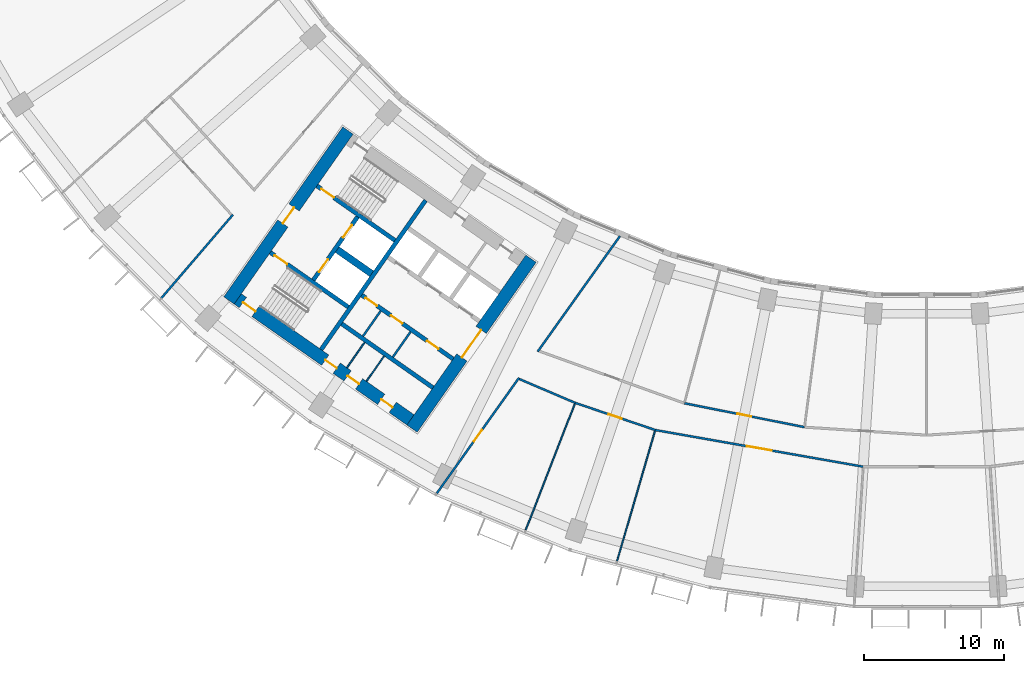
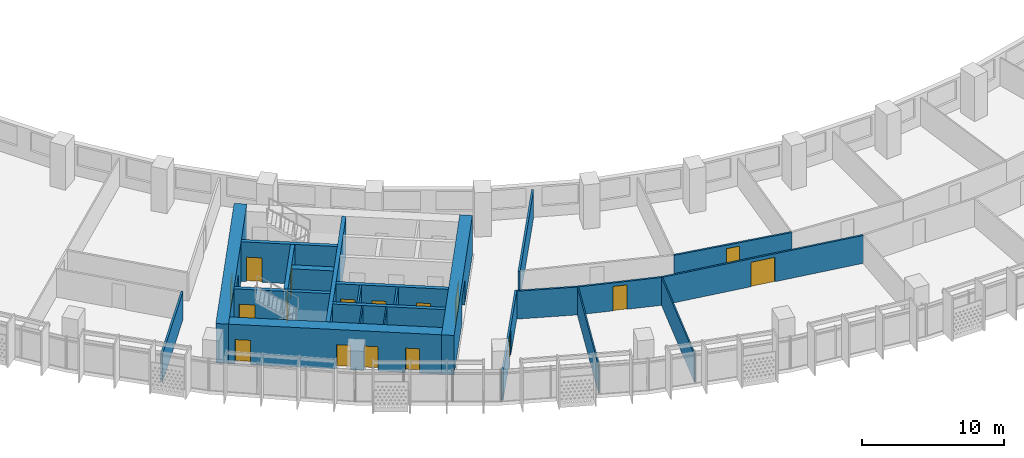
# One storey, part 3 of 28: 23 walls, 17 doors, 17 openings.
"""IFC4 building model written with IfcOpenShell, lengths in metres."""

from ifc_helpers import new_model, si_unit, direction, frame, frame_2d, origin, place, context, subcontext, project, spatial, rectangle, extrude, material, layer, layer_set, type_object, element, fill, save


model = new_model("IFC4")

# Units and contexts
model_context = context("Model", 3, precision=1e-05, world=origin(), true_north=direction((0.0, 1.0)))
body_context = subcontext(model_context, "Body", "Model", "MODEL_VIEW")
ifc_project = project(units=[si_unit("LENGTHUNIT", "METRE"), si_unit("AREAUNIT", "SQUARE_METRE"), si_unit("VOLUMEUNIT", "CUBIC_METRE"), si_unit("PLANEANGLEUNIT", "RADIAN"), si_unit("MASSUNIT", "GRAM", prefix="KILO")], contexts=[model_context])

# Site, building, storey
site_placement = place(None, origin())
site = spatial("IfcSite", under=ifc_project, at=site_placement, CompositionType="ELEMENT")
building_placement = place(site_placement, origin())
building = spatial("IfcBuilding", under=site, at=building_placement, Name="Qamariyya Broadcast Tower", CompositionType="ELEMENT")
storey_placement = place(building_placement, frame((0.0, 0.0, 140.5)))
storey = spatial("IfcBuildingStorey", under=building, at=storey_placement, Name="L32", CompositionType="ELEMENT", Elevation=140.5)

# Wall, opening, door
ifc_material_1 = material(Name="Concrete C70/85", Category="concrete")
ifc_layer_1 = layer(ifc_material_1, 0.89990234375)
ifc_layer_set_1 = layer_set([ifc_layer_1], Name="Core wall 900 mm Concrete C70/85")
wall_type_1 = type_object("IfcWallType", Name="Core wall 900 mm Concrete C70/85", PredefinedType="SHEAR", material=ifc_layer_set_1)
wall_1_placement = place(storey_placement, frame((-36.716796875, -66.3369140625, 0.0), z_axis=(0.0, 0.0, 1.0), x_axis=(0.573577477574, 0.819151315216, 0.0)))
wall_1 = element("IfcWall", 1, at=wall_1_placement, inside=storey, type_object=wall_type_1, Name="k-W-L32-WA", PredefinedType="SHEAR", context=body_context, shape_type="SweptSolid", body=[
    extrude(rectangle(XDim=14.800048828125, YDim=0.89990234375, at=frame_2d((7.39990234375, 0.0))), origin(), (0.0, 0.0, 1.0), 3.39990234375),
])
opening_1_placement = place(wall_1_placement, frame((6.199951171875, 0.0, 0.0)))
opening_1 = element("IfcOpeningElement", 2, at=opening_1_placement, cuts=wall_1, Name="Opening KD3-W1", PredefinedType="OPENING", context=body_context, shape_type="SweptSolid", body=[
    extrude(rectangle(XDim=2.39990234375, YDim=2.10009765625, at=frame_2d((1.199951171875, 1.050048828125))), frame((0.0, 0.4599609375, 0.0), z_axis=(0.0, -1.0, 0.0), x_axis=(1.0, 0.0, 0.0)), (0.0, 0.0, 1.0), 0.919921875),
])
ifc_material_2 = material(Name="Steel fire-resisting door leaf", Category="steel")
door_type_1 = type_object("IfcDoorType", Name="Lift lobby door KD3", OperationType="DOUBLE_DOOR_SINGLE_SWING", PredefinedType="DOOR", material=ifc_material_2)
door_1_placement = place(opening_1_placement, origin())
door_1 = element("IfcDoor", 3, at=door_1_placement, inside=storey, type_object=door_type_1, Name="k-W-L32-WA-D1", OperationType="DOUBLE_DOOR_SINGLE_SWING", OverallHeight=2.10009765625, OverallWidth=2.39990234375, PredefinedType="DOOR", context=body_context, shape_type="SweptSolid", body=[
    extrude(rectangle(XDim=2.39990234375, YDim=2.10009765625, at=frame_2d((1.199951171875, 1.050048828125))), frame((0.0, 0.02490234375, 0.0), z_axis=(0.0, -1.0, 0.0), x_axis=(1.0, 0.0, 0.0)), (0.0, 0.0, 1.0), 0.050048828125),
])
fill(opening_1, door_1)

wall_2_placement = place(storey_placement, frame((-49.778564453125, -57.191162109375, 0.0), z_axis=(0.0, 0.0, 1.0), x_axis=(0.573577477574, 0.819151315216, 0.0)))
wall_2 = element("IfcWall", 4, at=wall_2_placement, inside=storey, type_object=wall_type_1, Name="k-W-L32-WH", PredefinedType="SHEAR", context=body_context, shape_type="SweptSolid", body=[
    extrude(rectangle(XDim=14.800048828125, YDim=0.89990234375, at=frame_2d((7.39990234375, 0.0))), origin(), (0.0, 0.0, 1.0), 3.39990234375),
])
opening_2_placement = place(wall_2_placement, frame((6.699951171875, 0.0, 0.0)))
opening_2 = element("IfcOpeningElement", 5, at=opening_2_placement, cuts=wall_2, Name="Opening KD2-W1", PredefinedType="OPENING", context=body_context, shape_type="SweptSolid", body=[
    extrude(rectangle(XDim=1.39990234375, YDim=2.10009765625, at=frame_2d((0.699951171875, 1.050048828125))), frame((0.0, 0.4599609375, 0.0), z_axis=(0.0, -1.0, 0.0), x_axis=(1.0, 0.0, 0.0)), (0.0, 0.0, 1.0), 0.919921875),
])
door_type_2 = type_object("IfcDoorType", Name="Fire-fighting lobby door KD2", OperationType="DOUBLE_DOOR_SINGLE_SWING", PredefinedType="DOOR", material=ifc_material_2)
door_2_placement = place(opening_2_placement, origin())
door_2 = element("IfcDoor", 6, at=door_2_placement, inside=storey, type_object=door_type_2, Name="k-W-L32-WH-D15", OperationType="DOUBLE_DOOR_SINGLE_SWING", OverallHeight=2.10009765625, OverallWidth=1.39990234375, PredefinedType="DOOR", context=body_context, shape_type="SweptSolid", body=[
    extrude(rectangle(XDim=1.39990234375, YDim=2.10009765625, at=frame_2d((0.699951171875, 1.050048828125))), frame((0.0, 0.02490234375, 0.0), z_axis=(0.0, -1.0, 0.0), x_axis=(1.0, 0.0, 0.0)), (0.0, 0.0, 1.0), 0.050048828125),
])
fill(opening_2, door_2)

# Wall, openings, doors
wall_3_placement = place(storey_placement, frame((-36.827392578125, -65.710205078125, 0.0), z_axis=(0.0, 0.0, 1.0), x_axis=(-0.819153391756, 0.573574511963, 0.0)))
wall_3 = element("IfcWall", 7, at=wall_3_placement, inside=storey, type_object=wall_type_1, Name="k-W-L32-WO", PredefinedType="SHEAR", context=body_context, shape_type="SweptSolid", body=[
    extrude(rectangle(XDim=15.04541015625, YDim=0.89990234375, at=frame_2d((7.522705078125, 0.0))), origin(), (0.0, 0.0, 1.0), 3.39990234375),
])
opening_3_placement = place(wall_3_placement, frame((1.550048828125, 0.0, 0.0)))
opening_3 = element("IfcOpeningElement", 8, at=opening_3_placement, cuts=wall_3, Name="Opening KD4-W2", PredefinedType="OPENING", context=body_context, shape_type="SweptSolid", body=[
    extrude(rectangle(XDim=1.0, YDim=2.10009765625, at=frame_2d((0.5, 1.050048828125))), frame((0.0, 0.4599609375, 0.0), z_axis=(0.0, -1.0, 0.0), x_axis=(1.0, 0.0, 0.0)), (0.0, 0.0, 1.0), 0.919921875),
])
opening_4_placement = place(wall_3_placement, frame((4.47509765625, 0.0, 0.0)))
opening_4 = element("IfcOpeningElement", 9, at=opening_4_placement, cuts=wall_3, Name="Opening KD4-W3", PredefinedType="OPENING", context=body_context, shape_type="SweptSolid", body=[
    extrude(rectangle(XDim=1.0, YDim=2.10009765625, at=frame_2d((0.5, 1.050048828125))), frame((0.0, 0.4599609375, 0.0), z_axis=(0.0, -1.0, 0.0), x_axis=(1.0, 0.0, 0.0)), (0.0, 0.0, 1.0), 0.919921875),
])
opening_5_placement = place(wall_3_placement, frame((6.425048828125, 0.0, 0.0)))
opening_5 = element("IfcOpeningElement", 10, at=opening_5_placement, cuts=wall_3, Name="Opening KD4-W4", PredefinedType="OPENING", context=body_context, shape_type="SweptSolid", body=[
    extrude(rectangle(XDim=1.0, YDim=2.10009765625, at=frame_2d((0.5, 1.050048828125))), frame((0.0, 0.4599609375, 0.0), z_axis=(0.0, -1.0, 0.0), x_axis=(1.0, 0.0, 0.0)), (0.0, 0.0, 1.0), 0.919921875),
])
opening_6_placement = place(wall_3_placement, frame((13.495361328125, 0.0, 0.0)))
opening_6 = element("IfcOpeningElement", 11, at=opening_6_placement, cuts=wall_3, Name="Opening KD1-W3", PredefinedType="OPENING", context=body_context, shape_type="SweptSolid", body=[
    extrude(rectangle(XDim=1.10009765625, YDim=2.10009765625, at=frame_2d((0.550048828125, 1.050048828125))), frame((0.0, 0.4599609375, 0.0), z_axis=(0.0, -1.0, 0.0), x_axis=(1.0, 0.0, 0.0)), (0.0, 0.0, 1.0), 0.919921875),
])
door_type_3 = type_object("IfcDoorType", Name="Riser and plant door KD4", OperationType="SINGLE_SWING_LEFT", PredefinedType="DOOR", material=ifc_material_2)
door_3_placement = place(opening_3_placement, origin())
door_3 = element("IfcDoor", 12, at=door_3_placement, inside=storey, type_object=door_type_3, Name="k-W-L32-WO-D10", OperationType="SINGLE_SWING_LEFT", OverallHeight=2.10009765625, OverallWidth=1.0, PredefinedType="DOOR", context=body_context, shape_type="SweptSolid", body=[
    extrude(rectangle(XDim=1.0, YDim=2.10009765625, at=frame_2d((0.5, 1.050048828125))), frame((0.0, 0.02490234375, 0.0), z_axis=(0.0, -1.0, 0.0), x_axis=(1.0, 0.0, 0.0)), (0.0, 0.0, 1.0), 0.050048828125),
])
fill(opening_3, door_3)
door_4_placement = place(opening_4_placement, origin())
door_4 = element("IfcDoor", 13, at=door_4_placement, inside=storey, type_object=door_type_3, Name="k-W-L32-WO-D11", OperationType="SINGLE_SWING_RIGHT", OverallHeight=2.10009765625, OverallWidth=1.0, PredefinedType="DOOR", context=body_context, shape_type="SweptSolid", body=[
    extrude(rectangle(XDim=1.0, YDim=2.10009765625, at=frame_2d((0.5, 1.050048828125))), frame((0.0, 0.02490234375, 0.0), z_axis=(0.0, -1.0, 0.0), x_axis=(1.0, 0.0, 0.0)), (0.0, 0.0, 1.0), 0.050048828125),
])
fill(opening_4, door_4)
door_5_placement = place(opening_5_placement, origin())
door_5 = element("IfcDoor", 14, at=door_5_placement, inside=storey, type_object=door_type_3, Name="k-W-L32-WO-D12", OperationType="SINGLE_SWING_LEFT", OverallHeight=2.10009765625, OverallWidth=1.0, PredefinedType="DOOR", context=body_context, shape_type="SweptSolid", body=[
    extrude(rectangle(XDim=1.0, YDim=2.10009765625, at=frame_2d((0.5, 1.050048828125))), frame((0.0, 0.02490234375, 0.0), z_axis=(0.0, -1.0, 0.0), x_axis=(1.0, 0.0, 0.0)), (0.0, 0.0, 1.0), 0.050048828125),
])
fill(opening_5, door_5)
door_type_4 = type_object("IfcDoorType", Name="Stair door KD1", OperationType="SINGLE_SWING_LEFT", PredefinedType="DOOR", material=ifc_material_2)
door_6_placement = place(opening_6_placement, origin())
door_6 = element("IfcDoor", 15, at=door_6_placement, inside=storey, type_object=door_type_4, Name="k-W-L32-WO-D18", OperationType="SINGLE_SWING_LEFT", OverallHeight=2.10009765625, OverallWidth=1.10009765625, PredefinedType="DOOR", context=body_context, shape_type="SweptSolid", body=[
    extrude(rectangle(XDim=1.10009765625, YDim=2.10009765625, at=frame_2d((0.550048828125, 1.050048828125))), frame((0.0, 0.02490234375, 0.0), z_axis=(0.0, -1.0, 0.0), x_axis=(1.0, 0.0, 0.0)), (0.0, 0.0, 1.0), 0.050048828125),
])
fill(opening_6, door_6)

# Wall
ifc_material_3 = material(Name="Gypsum board partition")
ifc_layer_2 = layer(ifc_material_3, 0.14990234375)
ifc_layer_set_2 = layer_set([ifc_layer_2], Name="Corridor partition 150 EI 60")
wall_type_2 = type_object("IfcWallType", Name="Corridor partition 150 EI 60", PredefinedType="PARTITIONING", material=ifc_layer_set_2)
wall_4_placement = place(storey_placement, frame((-49.498779296875, -51.074951171875, 0.0), z_axis=(0.0, 0.0, 1.0), x_axis=(-0.65099144956, -0.759085062823, 0.0)))
element("IfcWall", 16, at=wall_4_placement, inside=storey, type_object=wall_type_2, Name="Partition L32-005", PredefinedType="PARTITIONING", context=body_context, shape_type="SweptSolid", body=[
    extrude(rectangle(XDim=7.83740234375, YDim=0.14990234375, at=frame_2d((3.918701171875, 0.0))), origin(), (0.0, 0.0, 1.0), 2.39990234375),
])

# Wall, opening, door
wall_5_placement = place(storey_placement, frame((-29.083984375, -62.710205078125, 0.0), z_axis=(0.0, 0.0, 1.0), x_axis=(-0.580031092611, -0.814594335608, 0.0)))
wall_5 = element("IfcWall", 17, at=wall_5_placement, inside=storey, type_object=wall_type_2, Name="Partition L32-008", PredefinedType="PARTITIONING", context=body_context, shape_type="SweptSolid", body=[
    extrude(rectangle(XDim=10.126220703125, YDim=0.14990234375, at=frame_2d((5.06298828125, 0.0))), origin(), (0.0, 0.0, 1.0), 2.39990234375),
])
opening_7_placement = place(wall_5_placement, frame((4.563232421875, 0.0, 0.0)))
opening_7 = element("IfcOpeningElement", 18, at=opening_7_placement, cuts=wall_5, Name="Opening L32-D01", PredefinedType="OPENING", context=body_context, shape_type="SweptSolid", body=[
    extrude(rectangle(XDim=1.0, YDim=2.10009765625, at=frame_2d((0.5, 1.050048828125))), frame((0.0, 0.0849609375, 0.0), z_axis=(0.0, -1.0, 0.0), x_axis=(1.0, 0.0, 0.0)), (0.0, 0.0, 1.0), 0.169921875),
])
ifc_material_4 = material(Name="Timber fire door leaf", Category="wood")
door_type_5 = type_object("IfcDoorType", Name="Fire door 1000 x 2100 FD60", OperationType="NOTDEFINED", PredefinedType="DOOR", material=ifc_material_4)
door_7_placement = place(opening_7_placement, origin())
door_7 = element("IfcDoor", 19, at=door_7_placement, inside=storey, type_object=door_type_5, Name="Door L32-D01", OperationType="SINGLE_SWING_RIGHT", OverallHeight=2.10009765625, OverallWidth=1.0, PredefinedType="DOOR", context=body_context, shape_type="SweptSolid", body=[
    extrude(rectangle(XDim=1.0, YDim=2.10009765625, at=frame_2d((0.5, 1.050048828125))), frame((0.0, 0.02490234375, 0.0), z_axis=(0.0, -1.0, 0.0), x_axis=(1.0, 0.0, 0.0)), (0.0, 0.0, 1.0), 0.050048828125),
])
fill(opening_7, door_7)

# Wall
wall_6_placement = place(storey_placement, frame((-29.05859375, -62.800537109375, 0.0), z_axis=(0.0, 0.0, 1.0), x_axis=(0.9200243558, -0.391861180438, 0.0)))
element("IfcWall", 20, at=wall_6_placement, inside=storey, type_object=wall_type_2, Name="Partition L32-009", PredefinedType="PARTITIONING", context=body_context, shape_type="SweptSolid", body=[
    extrude(rectangle(XDim=4.32568359375, YDim=0.14990234375, at=frame_2d((2.162841796875, 0.0))), origin(), (0.0, 0.0, 1.0), 2.39990234375),
])

# Wall, opening, door
wall_7_placement = place(storey_placement, frame((-19.365966796875, -66.434814453125, 0.0), z_axis=(0.0, 0.0, 1.0), x_axis=(-0.94693295825, 0.321431131939, 0.0)))
wall_7 = element("IfcWall", 21, at=wall_7_placement, inside=storey, type_object=wall_type_2, Name="Partition L32-012", PredefinedType="PARTITIONING", context=body_context, shape_type="SweptSolid", body=[
    extrude(rectangle(XDim=6.032958984375, YDim=0.14990234375, at=frame_2d((3.0166015625, 0.0))), origin(), (0.0, 0.0, 1.0), 2.39990234375),
])
opening_8_placement = place(wall_7_placement, frame((2.5166015625, 0.0, 0.0)))
opening_8 = element("IfcOpeningElement", 22, at=opening_8_placement, cuts=wall_7, Name="Opening L32-D02", PredefinedType="OPENING", context=body_context, shape_type="SweptSolid", body=[
    extrude(rectangle(XDim=1.0, YDim=2.10009765625, at=frame_2d((0.5, 1.050048828125))), frame((0.0, 0.0849609375, 0.0), z_axis=(0.0, -1.0, 0.0), x_axis=(1.0, 0.0, 0.0)), (0.0, 0.0, 1.0), 0.169921875),
])
door_8_placement = place(opening_8_placement, origin())
door_8 = element("IfcDoor", 23, at=door_8_placement, inside=storey, type_object=door_type_5, Name="Door L32-D02", OperationType="SINGLE_SWING_RIGHT", OverallHeight=2.10009765625, OverallWidth=1.0, PredefinedType="DOOR", context=body_context, shape_type="SweptSolid", body=[
    extrude(rectangle(XDim=1.0, YDim=2.10009765625, at=frame_2d((0.5, 1.050048828125))), frame((0.0, 0.02490234375, 0.0), z_axis=(0.0, -1.0, 0.0), x_axis=(1.0, 0.0, 0.0)), (0.0, 0.0, 1.0), 0.050048828125),
])
fill(opening_8, door_8)

# Wall
wall_8_placement = place(storey_placement, frame((-21.8837890625, -52.59765625, 0.0), z_axis=(0.0, 0.0, 1.0), x_axis=(-0.580016763963, -0.814604538118, 0.0)))
element("IfcWall", 24, at=wall_8_placement, inside=storey, type_object=wall_type_2, Name="Partition L32-014", PredefinedType="PARTITIONING", context=body_context, shape_type="SweptSolid", body=[
    extrude(rectangle(XDim=10.12109375, YDim=0.14990234375, at=frame_2d((5.060546875, 0.0))), origin(), (0.0, 0.0, 1.0), 2.39990234375),
])

# Wall, opening, door
wall_9_placement = place(storey_placement, frame((-4.52587890625, -69.0517578125, 0.0), z_axis=(0.0, 0.0, 1.0), x_axis=(-0.984805080703, 0.173663332402, 0.0)))
wall_9 = element("IfcWall", 25, at=wall_9_placement, inside=storey, type_object=wall_type_2, Name="Partition L32-015", PredefinedType="PARTITIONING", context=body_context, shape_type="SweptSolid", body=[
    extrude(rectangle(XDim=15.069091796875, YDim=0.14990234375, at=frame_2d((7.53466796875, 0.0))), origin(), (0.0, 0.0, 1.0), 2.39990234375),
])
opening_9_placement = place(wall_9_placement, frame((6.634521484375, 0.0, 0.0)))
opening_9 = element("IfcOpeningElement", 26, at=opening_9_placement, cuts=wall_9, Name="Opening L32-D03", PredefinedType="OPENING", context=body_context, shape_type="SweptSolid", body=[
    extrude(rectangle(XDim=1.800048828125, YDim=2.10009765625, at=frame_2d((0.89990234375, 1.050048828125))), frame((0.0, 0.0849609375, 0.0), z_axis=(0.0, -1.0, 0.0), x_axis=(1.0, 0.0, 0.0)), (0.0, 0.0, 1.0), 0.169921875),
])
door_type_6 = type_object("IfcDoorType", Name="Double fire door 1800 x 2100 FD60", OperationType="NOTDEFINED", PredefinedType="DOOR", material=ifc_material_4)
door_9_placement = place(opening_9_placement, origin())
door_9 = element("IfcDoor", 27, at=door_9_placement, inside=storey, type_object=door_type_6, Name="Door L32-D03", OperationType="DOUBLE_DOOR_SINGLE_SWING", OverallHeight=2.10009765625, OverallWidth=1.800048828125, PredefinedType="DOOR", context=body_context, shape_type="SweptSolid", body=[
    extrude(rectangle(XDim=1.800048828125, YDim=2.10009765625, at=frame_2d((0.89990234375, 1.050048828125))), frame((0.0, 0.02490234375, 0.0), z_axis=(0.0, -1.0, 0.0), x_axis=(1.0, 0.0, 0.0)), (0.0, 0.0, 1.0), 0.050048828125),
])
fill(opening_9, door_9)

wall_10_placement = place(storey_placement, frame((-17.2890625, -64.52392578125, 0.0), z_axis=(0.0, 0.0, 1.0), x_axis=(0.980786466832, -0.195084357342, 0.0)))
wall_10 = element("IfcWall", 28, at=wall_10_placement, inside=storey, type_object=wall_type_2, Name="Partition L32-016", PredefinedType="PARTITIONING", context=body_context, shape_type="SweptSolid", body=[
    extrude(rectangle(XDim=8.73779296875, YDim=0.14990234375, at=frame_2d((4.368896484375, 0.0))), origin(), (0.0, 0.0, 1.0), 2.39990234375),
])
opening_10_placement = place(wall_10_placement, frame((3.868896484375, 0.0, 0.0)))
opening_10 = element("IfcOpeningElement", 29, at=opening_10_placement, cuts=wall_10, Name="Opening L32-D09", PredefinedType="OPENING", context=body_context, shape_type="SweptSolid", body=[
    extrude(rectangle(XDim=1.0, YDim=2.10009765625, at=frame_2d((0.5, 1.050048828125))), frame((0.0, 0.0849609375, 0.0), z_axis=(0.0, -1.0, 0.0), x_axis=(1.0, 0.0, 0.0)), (0.0, 0.0, 1.0), 0.169921875),
])
door_10_placement = place(opening_10_placement, origin())
door_10 = element("IfcDoor", 30, at=door_10_placement, inside=storey, type_object=door_type_5, Name="Door L32-D09", OperationType="SINGLE_SWING_RIGHT", OverallHeight=2.10009765625, OverallWidth=1.0, PredefinedType="DOOR", context=body_context, shape_type="SweptSolid", body=[
    extrude(rectangle(XDim=1.0, YDim=2.10009765625, at=frame_2d((0.5, 1.050048828125))), frame((0.0, 0.02490234375, 0.0), z_axis=(0.0, -1.0, 0.0), x_axis=(1.0, 0.0, 0.0)), (0.0, 0.0, 1.0), 0.050048828125),
])
fill(opening_10, door_10)

# Walls
ifc_material_5 = material(Name="Concrete C60/75", Category="concrete")
ifc_layer_3 = layer(ifc_material_5, 0.5)
ifc_layer_set_3 = layer_set([ifc_layer_3], Name="Fire-fighting lobby divider wall 500 mm Concrete C60/75")
wall_type_3 = type_object("IfcWallType", Name="Fire-fighting lobby divider wall 500 mm Concrete C60/75", PredefinedType="SOLIDWALL", material=ifc_layer_set_3)
wall_11_placement = place(storey_placement, frame((-39.59912109375, -55.28515625, 0.0), z_axis=(0.0, 0.0, 1.0), x_axis=(-0.819136323161, 0.573598887793, 0.0)))
element("IfcWall", 31, at=wall_11_placement, inside=storey, type_object=wall_type_3, Name="k-W-L32-FD", PredefinedType="SOLIDWALL", context=body_context, shape_type="SweptSolid", body=[
    extrude(rectangle(XDim=2.999755859375, YDim=0.5, at=frame_2d((1.5, 0.0))), origin(), (0.0, 0.0, 1.0), 3.39990234375),
])
ifc_material_6 = material(Name="Gypsum board partition on steel studs", Category="steel")
ifc_layer_4 = layer(ifc_material_6, 0.14990234375)
ifc_layer_set_4 = layer_set([ifc_layer_4], Name="Gypsum board partition 150 mm")
wall_type_4 = type_object("IfcWallType", Name="Gypsum board partition 150 mm", PredefinedType="PARTITIONING", material=ifc_layer_set_4)
for number, where, z_axis, x_axis, name in (
    (32, (-36.822509765625, -59.4267578125, 0.0), (0.0, 0.0, 1.0), (-0.573507030513, -0.819200638399, 0.0), "k-W-L32-SC360"),
    (33, (-38.9521484375, -57.935546875, 0.0), (0.0, 0.0, 1.0), (-0.573633636671, -0.819111989218, 0.0), "k-W-L32-SC620"),
):
    element("IfcWall", number, at=place(storey_placement, frame(where, z_axis=z_axis, x_axis=x_axis)), inside=storey, type_object=wall_type_4, Name=name, PredefinedType="PARTITIONING", context=body_context, shape_type="SweptSolid", body=[
        extrude(rectangle(XDim=2.199951171875, YDim=0.14990234375, at=frame_2d((1.10009765625, 0.0))), origin(), (0.0, 0.0, 1.0), 3.39990234375),
    ])
ifc_layer_5 = layer(ifc_material_5, 0.300048828125)
ifc_layer_set_5 = layer_set([ifc_layer_5], Name="Lift shaft wall 300 mm Concrete C60/75")
wall_type_5 = type_object("IfcWallType", Name="Lift shaft wall 300 mm Concrete C60/75", PredefinedType="SOLIDWALL", material=ifc_layer_set_5)
wall_12_placement = place(storey_placement, frame((-43.204345703125, -60.69580078125, 0.0), z_axis=(0.0, 0.0, 1.0), x_axis=(0.573571992966, 0.819155155563, 0.0)))
element("IfcWall", 34, at=wall_12_placement, inside=storey, type_object=wall_type_5, Name="k-W-L32-WL", PredefinedType="SOLIDWALL", context=body_context, shape_type="SweptSolid", body=[
    extrude(rectangle(XDim=13.000244140625, YDim=0.300048828125, at=frame_2d((6.5, 0.0))), origin(), (0.0, 0.0, 1.0), 3.39990234375),
])

# Wall, openings, doors
wall_13_placement = place(storey_placement, frame((-33.787353515625, -61.368896484375, 0.0), z_axis=(0.0, 0.0, 1.0), x_axis=(-0.819152564888, 0.573575692858, 0.0)))
wall_13 = element("IfcWall", 35, at=wall_13_placement, inside=storey, type_object=wall_type_5, Name="k-W-L32-SF0", PredefinedType="SOLIDWALL", context=body_context, shape_type="SweptSolid", body=[
    extrude(rectangle(XDim=7.9501953125, YDim=0.300048828125, at=frame_2d((3.97509765625, 0.0))), origin(), (0.0, 0.0, 1.0), 3.39990234375),
])
opening_11_placement = place(wall_13_placement, frame((1.262451171875, 0.0, 0.0)))
opening_11 = element("IfcOpeningElement", 36, at=opening_11_placement, cuts=wall_13, Name="Opening KD6-W1", PredefinedType="OPENING", context=body_context, shape_type="SweptSolid", body=[
    extrude(rectangle(XDim=1.0, YDim=2.10009765625, at=frame_2d((0.5, 1.050048828125))), frame((0.0, 0.159912109375, 0.0), z_axis=(0.0, -1.0, 0.0), x_axis=(1.0, 0.0, 0.0)), (0.0, 0.0, 1.0), 0.320068359375),
])
opening_12_placement = place(wall_13_placement, frame((4.39990234375, 0.0, 0.0)))
opening_12 = element("IfcOpeningElement", 37, at=opening_12_placement, cuts=wall_13, Name="Opening KD4-W1", PredefinedType="OPENING", context=body_context, shape_type="SweptSolid", body=[
    extrude(rectangle(XDim=1.0, YDim=2.10009765625, at=frame_2d((0.5, 1.050048828125))), frame((0.0, 0.159912109375, 0.0), z_axis=(0.0, -1.0, 0.0), x_axis=(1.0, 0.0, 0.0)), (0.0, 0.0, 1.0), 0.320068359375),
])
opening_13_placement = place(wall_13_placement, frame((6.612548828125, 0.0, 0.0)))
opening_13 = element("IfcOpeningElement", 38, at=opening_13_placement, cuts=wall_13, Name="Opening KD6-W2", PredefinedType="OPENING", context=body_context, shape_type="SweptSolid", body=[
    extrude(rectangle(XDim=1.0, YDim=2.10009765625, at=frame_2d((0.5, 1.050048828125))), frame((0.0, 0.159912109375, 0.0), z_axis=(0.0, -1.0, 0.0), x_axis=(1.0, 0.0, 0.0)), (0.0, 0.0, 1.0), 0.320068359375),
])
door_type_7 = type_object("IfcDoorType", Name="Core room door KD6", OperationType="SINGLE_SWING_LEFT", PredefinedType="DOOR", material=ifc_material_2)
door_11_placement = place(opening_11_placement, origin())
door_11 = element("IfcDoor", 39, at=door_11_placement, inside=storey, type_object=door_type_7, Name="k-W-L32-SF0-D5", OperationType="SINGLE_SWING_RIGHT", OverallHeight=2.10009765625, OverallWidth=1.0, PredefinedType="DOOR", context=body_context, shape_type="SweptSolid", body=[
    extrude(rectangle(XDim=1.0, YDim=2.10009765625, at=frame_2d((0.5, 1.050048828125))), frame((0.0, 0.02490234375, 0.0), z_axis=(0.0, -1.0, 0.0), x_axis=(1.0, 0.0, 0.0)), (0.0, 0.0, 1.0), 0.050048828125),
])
fill(opening_11, door_11)
door_12_placement = place(opening_13_placement, origin())
door_12 = element("IfcDoor", 40, at=door_12_placement, inside=storey, type_object=door_type_7, Name="k-W-L32-SF0-D7", OperationType="SINGLE_SWING_RIGHT", OverallHeight=2.10009765625, OverallWidth=1.0, PredefinedType="DOOR", context=body_context, shape_type="SweptSolid", body=[
    extrude(rectangle(XDim=1.0, YDim=2.10009765625, at=frame_2d((0.5, 1.050048828125))), frame((0.0, 0.02490234375, 0.0), z_axis=(0.0, -1.0, 0.0), x_axis=(1.0, 0.0, 0.0)), (0.0, 0.0, 1.0), 0.050048828125),
])
fill(opening_13, door_12)
door_13_placement = place(opening_12_placement, origin())
door_13 = element("IfcDoor", 41, at=door_13_placement, inside=storey, type_object=door_type_3, Name="k-W-L32-SF0-D6", OperationType="SINGLE_SWING_LEFT", OverallHeight=2.10009765625, OverallWidth=1.0, PredefinedType="DOOR", context=body_context, shape_type="SweptSolid", body=[
    extrude(rectangle(XDim=1.0, YDim=2.10009765625, at=frame_2d((0.5, 1.050048828125))), frame((0.0, 0.02490234375, 0.0), z_axis=(0.0, -1.0, 0.0), x_axis=(1.0, 0.0, 0.0)), (0.0, 0.0, 1.0), 0.050048828125),
])
fill(opening_12, door_13)

# Wall
wall_14_placement = place(storey_placement, frame((-35.22119140625, -63.41650390625, 0.0), z_axis=(0.0, 0.0, 1.0), x_axis=(-0.819166993208, 0.573555086491, 0.0)))
element("IfcWall", 42, at=wall_14_placement, inside=storey, type_object=wall_type_5, Name="k-W-L32-SB0", PredefinedType="SOLIDWALL", context=body_context, shape_type="SweptSolid", body=[
    extrude(rectangle(XDim=7.9501953125, YDim=0.300048828125, at=frame_2d((3.97509765625, 0.0))), origin(), (0.0, 0.0, 1.0), 3.39990234375),
])

# Wall, opening, door
wall_15_placement = place(storey_placement, frame((-37.935546875, -52.90966796875, 0.0), z_axis=(0.0, 0.0, 1.0), x_axis=(-0.819147518138, 0.57358290031, 0.0)))
wall_15 = element("IfcWall", 43, at=wall_15_placement, inside=storey, type_object=wall_type_5, Name="k-W-L32-NW", PredefinedType="SOLIDWALL", context=body_context, shape_type="SweptSolid", body=[
    extrude(rectangle(XDim=6.79541015625, YDim=0.300048828125, at=frame_2d((3.397705078125, 0.0))), origin(), (0.0, 0.0, 1.0), 3.39990234375),
])
opening_14_placement = place(wall_15_placement, frame((5.3203125, 0.0, 0.0)))
opening_14 = element("IfcOpeningElement", 44, at=opening_14_placement, cuts=wall_15, Name="Opening KD1-W2", PredefinedType="OPENING", context=body_context, shape_type="SweptSolid", body=[
    extrude(rectangle(XDim=1.10009765625, YDim=2.10009765625, at=frame_2d((0.550048828125, 1.050048828125))), frame((0.0, 0.159912109375, 0.0), z_axis=(0.0, -1.0, 0.0), x_axis=(1.0, 0.0, 0.0)), (0.0, 0.0, 1.0), 0.320068359375),
])
door_14_placement = place(opening_14_placement, origin())
door_14 = element("IfcDoor", 45, at=door_14_placement, inside=storey, type_object=door_type_4, Name="k-W-L32-NW-D17", OperationType="SINGLE_SWING_RIGHT", OverallHeight=2.10009765625, OverallWidth=1.10009765625, PredefinedType="DOOR", context=body_context, shape_type="SweptSolid", body=[
    extrude(rectangle(XDim=1.10009765625, YDim=2.10009765625, at=frame_2d((0.550048828125, 1.050048828125))), frame((0.0, 0.02490234375, 0.0), z_axis=(0.0, -1.0, 0.0), x_axis=(1.0, 0.0, 0.0)), (0.0, 0.0, 1.0), 0.050048828125),
])
fill(opening_14, door_14)

wall_16_placement = place(storey_placement, frame((-41.262451171875, -57.66064453125, 0.0), z_axis=(0.0, 0.0, 1.0), x_axis=(-0.819164398642, 0.573558792102, 0.0)))
wall_16 = element("IfcWall", 46, at=wall_16_placement, inside=storey, type_object=wall_type_5, Name="k-W-L32-SW", PredefinedType="SOLIDWALL", context=body_context, shape_type="SweptSolid", body=[
    extrude(rectangle(XDim=6.795166015625, YDim=0.300048828125, at=frame_2d((3.3974609375, 0.0))), origin(), (0.0, 0.0, 1.0), 3.39990234375),
])
opening_15_placement = place(wall_16_placement, frame((5.3203125, 0.0, 0.0)))
opening_15 = element("IfcOpeningElement", 47, at=opening_15_placement, cuts=wall_16, Name="Opening KD1-W4", PredefinedType="OPENING", context=body_context, shape_type="SweptSolid", body=[
    extrude(rectangle(XDim=1.10009765625, YDim=2.10009765625, at=frame_2d((0.550048828125, 1.050048828125))), frame((0.0, 0.159912109375, 0.0), z_axis=(0.0, -1.0, 0.0), x_axis=(1.0, 0.0, 0.0)), (0.0, 0.0, 1.0), 0.320068359375),
])
door_15_placement = place(opening_15_placement, origin())
door_15 = element("IfcDoor", 48, at=door_15_placement, inside=storey, type_object=door_type_4, Name="k-W-L32-SW-D19", OperationType="SINGLE_SWING_RIGHT", OverallHeight=2.10009765625, OverallWidth=1.10009765625, PredefinedType="DOOR", context=body_context, shape_type="SweptSolid", body=[
    extrude(rectangle(XDim=1.10009765625, YDim=2.10009765625, at=frame_2d((0.550048828125, 1.050048828125))), frame((0.0, 0.02490234375, 0.0), z_axis=(0.0, -1.0, 0.0), x_axis=(1.0, 0.0, 0.0)), (0.0, 0.0, 1.0), 0.050048828125),
])
fill(opening_15, door_15)

# Wall, openings, doors
wall_17_placement = place(storey_placement, frame((-43.756591796875, -55.731201171875, 0.0), z_axis=(0.0, 0.0, 1.0), x_axis=(0.573536818435, 0.819179783625, 0.0)))
wall_17 = element("IfcWall", 49, at=wall_17_placement, inside=storey, type_object=wall_type_5, Name="k-W-L32-FF", PredefinedType="SOLIDWALL", context=body_context, shape_type="SweptSolid", body=[
    extrude(rectangle(XDim=5.500244140625, YDim=0.300048828125, at=frame_2d((2.75, 0.0))), origin(), (0.0, 0.0, 1.0), 3.39990234375),
])
opening_16_placement = place(wall_17_placement, frame((0.699951171875, 0.0, 0.0)))
opening_16 = element("IfcOpeningElement", 50, at=opening_16_placement, cuts=wall_17, Name="Opening LD", PredefinedType="OPENING", context=body_context, shape_type="SweptSolid", body=[
    extrude(rectangle(XDim=1.10009765625, YDim=2.10009765625, at=frame_2d((0.550048828125, 1.050048828125))), frame((0.0, 0.159912109375, 0.0), z_axis=(0.0, -1.0, 0.0), x_axis=(1.0, 0.0, 0.0)), (0.0, 0.0, 1.0), 0.320068359375),
])
opening_17_placement = place(wall_17_placement, frame((3.699951171875, 0.0, 0.0)))
opening_17 = element("IfcOpeningElement", 51, at=opening_17_placement, cuts=wall_17, Name="Opening LD", PredefinedType="OPENING", context=body_context, shape_type="SweptSolid", body=[
    extrude(rectangle(XDim=1.10009765625, YDim=2.10009765625, at=frame_2d((0.550048828125, 1.050048828125))), frame((0.0, 0.159912109375, 0.0), z_axis=(0.0, -1.0, 0.0), x_axis=(1.0, 0.0, 0.0)), (0.0, 0.0, 1.0), 0.320068359375),
])
door_type_8 = type_object("IfcDoorType", Name="Lift landing door LD", OperationType="DOUBLE_DOOR_SLIDING", PredefinedType="DOOR", material=ifc_material_2)
door_16_placement = place(opening_16_placement, origin())
door_16 = element("IfcDoor", 52, at=door_16_placement, inside=storey, type_object=door_type_8, Name="k-W-L32-FF-D13", OperationType="DOUBLE_DOOR_SLIDING", OverallHeight=2.10009765625, OverallWidth=1.10009765625, PredefinedType="DOOR", context=body_context, shape_type="SweptSolid", body=[
    extrude(rectangle(XDim=1.10009765625, YDim=2.10009765625, at=frame_2d((0.550048828125, 1.050048828125))), frame((0.0, 0.02490234375, 0.0), z_axis=(0.0, -1.0, 0.0), x_axis=(1.0, 0.0, 0.0)), (0.0, 0.0, 1.0), 0.050048828125),
])
fill(opening_16, door_16)
door_17_placement = place(opening_17_placement, origin())
door_17 = element("IfcDoor", 53, at=door_17_placement, inside=storey, type_object=door_type_8, Name="k-W-L32-FF-D14", OperationType="DOUBLE_DOOR_SLIDING", OverallHeight=2.10009765625, OverallWidth=1.10009765625, PredefinedType="DOOR", context=body_context, shape_type="SweptSolid", body=[
    extrude(rectangle(XDim=1.10009765625, YDim=2.10009765625, at=frame_2d((0.550048828125, 1.050048828125))), frame((0.0, 0.02490234375, 0.0), z_axis=(0.0, -1.0, 0.0), x_axis=(1.0, 0.0, 0.0)), (0.0, 0.0, 1.0), 0.050048828125),
])
fill(opening_17, door_17)

# Walls
ifc_layer_6 = layer(ifc_material_3, 0.10009765625)
ifc_layer_set_6 = layer_set([ifc_layer_6], Name="Partition 100")
wall_type_6 = type_object("IfcWallType", Name="Partition 100", PredefinedType="PARTITIONING", material=ifc_layer_set_6)
wall_18_placement = place(storey_placement, frame((-28.612060546875, -73.58203125, 0.0), z_axis=(0.0, 0.0, 1.0), x_axis=(0.362392675792, 0.93202550852, 0.0)))
element("IfcWall", 54, at=wall_18_placement, inside=storey, type_object=wall_type_6, Name="Partition L32-010", PredefinedType="PARTITIONING", context=body_context, shape_type="SweptSolid", body=[
    extrude(rectangle(XDim=9.67431640625, YDim=0.10009765625, at=frame_2d((4.837158203125, 0.0))), origin(), (0.0, 0.0, 1.0), 2.39990234375),
])
wall_19_placement = place(storey_placement, frame((-22.09423828125, -75.79443359375, 0.0), z_axis=(0.0, 0.0, 1.0), x_axis=(0.279846881911, 0.960044646194, 0.0)))
element("IfcWall", 55, at=wall_19_placement, inside=storey, type_object=wall_type_6, Name="Partition L32-013", PredefinedType="PARTITIONING", context=body_context, shape_type="SweptSolid", body=[
    extrude(rectangle(XDim=9.674072265625, YDim=0.10009765625, at=frame_2d((4.8369140625, 0.0))), origin(), (0.0, 0.0, 1.0), 2.39990234375),
])
ifc_material_7 = material(Name="Fire-rated gypsum shaft liner on steel studs", Category="steel")
ifc_layer_7 = layer(ifc_material_7, 0.10009765625)
ifc_layer_set_7 = layer_set([ifc_layer_7], Name="Riser wall 100 mm")
wall_type_7 = type_object("IfcWallType", Name="Riser wall 100 mm", PredefinedType="PLUMBINGWALL", material=ifc_layer_set_7)
for number, where, z_axis, x_axis, name in (
    (56, (-38.706787109375, -61.1591796875, 0.0), (0.0, 0.0, 1.0), (-0.573633636671, -0.819111989218, 0.0), "k-W-L32-SP415"),
    (57, (-40.099365234375, -60.18408203125, 0.0), (0.0, 0.0, 1.0), (-0.573633636671, -0.819111989218, 0.0), "k-W-L32-SP585"),
):
    element("IfcWall", number, at=place(storey_placement, frame(where, z_axis=z_axis, x_axis=x_axis)), inside=storey, type_object=wall_type_7, Name=name, PredefinedType="PLUMBINGWALL", context=body_context, shape_type="SweptSolid", body=[
        extrude(rectangle(XDim=2.199951171875, YDim=0.10009765625, at=frame_2d((1.10009765625, 0.0))), origin(), (0.0, 0.0, 1.0), 3.39990234375),
    ])

save(model, "model.ifc")
